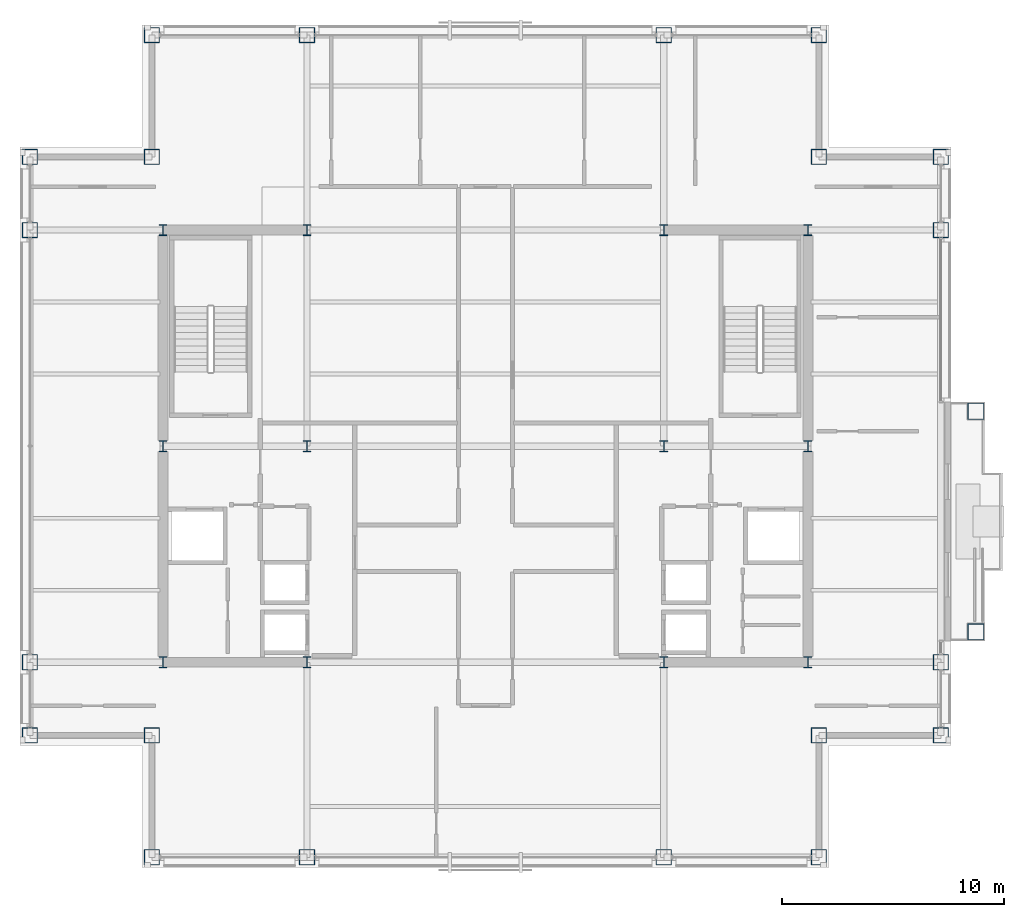
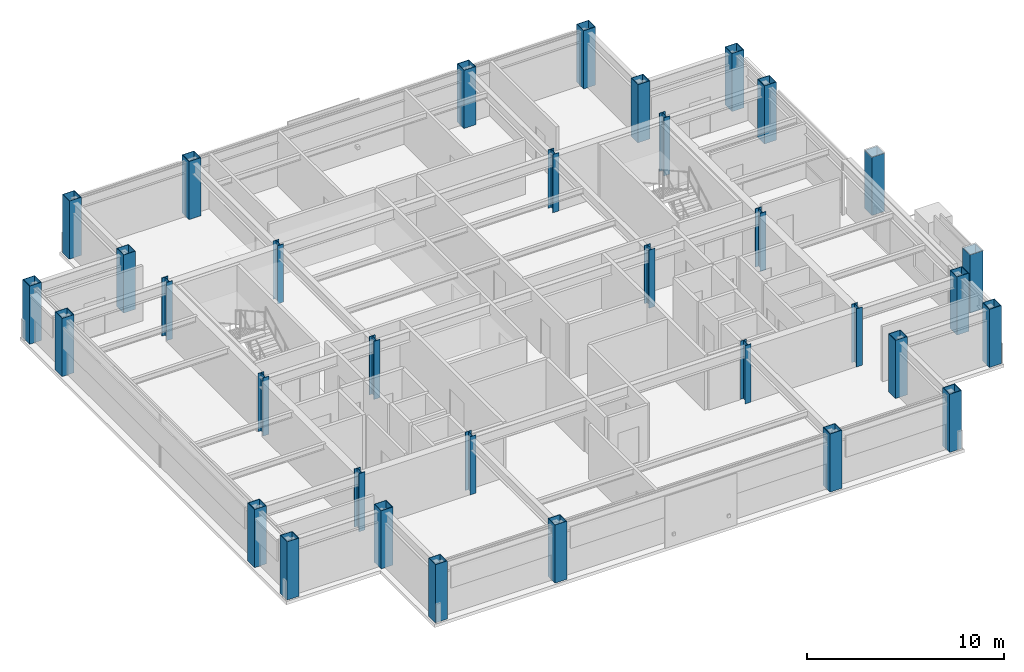
# One storey, part 1 of 30: 34 columns.
"""IFC4 building model written with IfcOpenShell, lengths in metres."""

from ifc_helpers import new_model, si_unit, direction, frame, origin, origin_2d, place, context, subcontext, project, spatial, hollow_rectangle, i_section, extrude, material, material_profile, profile_set, type_object, element, save


model = new_model("IFC4")

# Units and contexts
model_context = context("Model", 3, precision=1e-05, world=origin(), true_north=direction((0.0, 1.0)))
body_context = subcontext(model_context, "Body", "Model", "MODEL_VIEW")
ifc_project = project(units=[si_unit("LENGTHUNIT", "METRE"), si_unit("AREAUNIT", "SQUARE_METRE"), si_unit("VOLUMEUNIT", "CUBIC_METRE"), si_unit("PLANEANGLEUNIT", "RADIAN"), si_unit("MASSUNIT", "GRAM", prefix="KILO")], contexts=[model_context])

# Site, building, storey
site_placement = place(None, origin())
site = spatial("IfcSite", under=ifc_project, at=site_placement, CompositionType="ELEMENT")
building_placement = place(site_placement, origin())
building = spatial("IfcBuilding", under=site, at=building_placement, Name="Brelmoor Portico Tower", CompositionType="ELEMENT")
storey_placement = place(building_placement, frame((0.0, 0.0, 198.300048828125)))
storey = spatial("IfcBuildingStorey", under=building, at=storey_placement, Name="L52", CompositionType="ELEMENT", Elevation=198.300048828125)

# Columns
ifc_material = material(Name="Steel Q355B", Category="steel")
ifc_material_profile_1 = material_profile(ifc_material, hollow_rectangle(XDim=0.699951171875, YDim=0.699951171875, WallThickness=0.030029296875, at=origin_2d()), Name="BOX 700x700x30")
ifc_profile_set_1 = profile_set([ifc_material_profile_1], Name="Steel Q355B")
column_type_1 = type_object("IfcColumnType", Name="COL-MEGA-700", PredefinedType="COLUMN", material=ifc_profile_set_1)
for number, where, z_axis, x_axis, name in (
    (1, (-15.050048828125, -18.550048828125, 0.0), (0.0, 0.0, 1.0), (1.0, 0.0, 0.0), "L52 Perimeter Mega-Column PS01"),
    (2, (-8.050048828125, -18.550048828125, 0.0), (0.0, 0.0, 1.0), (1.0, 0.0, 0.0), "L52 Perimeter Mega-Column PS02"),
    (3, (8.050048828125, -18.550048828125, 0.0), (0.0, 0.0, 1.0), (1.0, 0.0, 0.0), "L52 Perimeter Mega-Column PS03"),
    (4, (15.050048828125, -18.550048828125, 0.0), (0.0, 0.0, 1.0), (1.0, 0.0, 0.0), "L52 Perimeter Mega-Column PS04"),
    (5, (-15.050048828125, 18.550048828125, 0.0), (0.0, 0.0, 1.0), (1.0, 0.0, 0.0), "L52 Perimeter Mega-Column PN01"),
    (6, (-8.050048828125, 18.550048828125, 0.0), (0.0, 0.0, 1.0), (1.0, 0.0, 0.0), "L52 Perimeter Mega-Column PN02"),
    (7, (8.050048828125, 18.550048828125, 0.0), (0.0, 0.0, 1.0), (1.0, 0.0, 0.0), "L52 Perimeter Mega-Column PN03"),
    (8, (15.050048828125, 18.550048828125, 0.0), (0.0, 0.0, 1.0), (1.0, 0.0, 0.0), "L52 Perimeter Mega-Column PN04"),
    (9, (-20.550048828125, -13.050048828125, 0.0), (0.0, 0.0, 1.0), (0.0, 1.0, 0.0), "L52 Perimeter Mega-Column PW01"),
    (10, (-20.550048828125, -9.75, 0.0), (0.0, 0.0, 1.0), (0.0, 1.0, 0.0), "L52 Perimeter Mega-Column PW02"),
    (11, (-20.550048828125, 9.75, 0.0), (0.0, 0.0, 1.0), (0.0, 1.0, 0.0), "L52 Perimeter Mega-Column PW03"),
    (12, (-20.550048828125, 13.050048828125, 0.0), (0.0, 0.0, 1.0), (0.0, 1.0, 0.0), "L52 Perimeter Mega-Column PW04"),
    (13, (20.550048828125, -13.050048828125, 0.0), (0.0, 0.0, 1.0), (0.0, 1.0, 0.0), "L52 Perimeter Mega-Column PE01"),
    (14, (20.550048828125, -9.75, 0.0), (0.0, 0.0, 1.0), (0.0, 1.0, 0.0), "L52 Perimeter Mega-Column PE02"),
    (15, (20.550048828125, 9.75, 0.0), (0.0, 0.0, 1.0), (0.0, 1.0, 0.0), "L52 Perimeter Mega-Column PE03"),
    (16, (20.550048828125, 13.050048828125, 0.0), (0.0, 0.0, 1.0), (0.0, 1.0, 0.0), "L52 Perimeter Mega-Column PE04"),
    (17, (-15.050048828125, 13.050048828125, 0.0), (0.0, 0.0, 1.0), (1.0, 0.0, 0.0), "L52 Perimeter Mega-Column PC-NW"),
    (18, (15.050048828125, 13.050048828125, 0.0), (0.0, 0.0, 1.0), (1.0, 0.0, 0.0), "L52 Perimeter Mega-Column PC-NE"),
    (19, (15.050048828125, -13.050048828125, 0.0), (0.0, 0.0, 1.0), (1.0, 0.0, 0.0), "L52 Perimeter Mega-Column PC-SE"),
    (20, (-15.050048828125, -13.050048828125, 0.0), (0.0, 0.0, 1.0), (1.0, 0.0, 0.0), "L52 Perimeter Mega-Column PC-SW"),
):
    element("IfcColumn", number, at=place(storey_placement, frame(where, z_axis=z_axis, x_axis=x_axis)), inside=storey, type_object=column_type_1, Name=name, PredefinedType="COLUMN", context=body_context, shape_type="SweptSolid", body=[
        extrude(hollow_rectangle(XDim=0.699951171875, YDim=0.699951171875, WallThickness=0.030029296875, at=origin_2d()), origin(), (0.0, 0.0, 1.0), 3.599853515625),
    ])
ifc_material_profile_2 = material_profile(ifc_material, hollow_rectangle(XDim=0.75, YDim=0.75, WallThickness=0.031982421875, at=origin_2d()), Name="BOX 750x750x32")
ifc_profile_set_2 = profile_set([ifc_material_profile_2], Name="Steel Q355B")
column_type_2 = type_object("IfcColumnType", Name="COL-MEGA-750", PredefinedType="COLUMN", material=ifc_profile_set_2)
for number, where, z_axis, x_axis, name in (
    (21, (22.1298828125, -8.3798828125, 0.0), (0.0, 0.0, 1.0), (0.0, 1.0, 0.0), "L52 Proud Picture-Frame Pier PFJ-E1"),
    (22, (22.1298828125, 1.580078125, 0.0), (0.0, 0.0, 1.0), (0.0, 1.0, 0.0), "L52 Proud Picture-Frame Pier PFJ-E2"),
):
    element("IfcColumn", number, at=place(storey_placement, frame(where, z_axis=z_axis, x_axis=x_axis)), inside=storey, type_object=column_type_2, Name=name, PredefinedType="COLUMN", context=body_context, shape_type="SweptSolid", body=[
        extrude(hollow_rectangle(XDim=0.75, YDim=0.75, WallThickness=0.031982421875, at=origin_2d()), origin(), (0.0, 0.0, 1.0), 3.599853515625),
    ])
ifc_material_profile_3 = material_profile(ifc_material, i_section(OverallWidth=0.35009765625, OverallDepth=0.5, WebThickness=0.02001953125, FlangeThickness=0.031982421875, at=origin_2d()), Name="HW 500x350x20x32")
ifc_profile_set_3 = profile_set([ifc_material_profile_3], Name="Steel Q355B")
column_type_3 = type_object("IfcColumnType", Name="COL-SPINE-500", PredefinedType="COLUMN", material=ifc_profile_set_3)
for number, where, z_axis, x_axis, name in (
    (23, (-14.550048828125, -9.75, 0.0), (0.0, 0.0, 1.0), (1.0, 0.0, 0.0), "L52 Core Spine Column CW-SW"),
    (24, (-14.550048828125, 0.0, 0.0), (0.0, 0.0, 1.0), (1.0, 0.0, 0.0), "L52 Core Spine Column CW-MW"),
    (25, (-14.550048828125, 9.75, 0.0), (0.0, 0.0, 1.0), (1.0, 0.0, 0.0), "L52 Core Spine Column CW-NW"),
    (26, (-8.050048828125, -9.75, 0.0), (0.0, 0.0, 1.0), (1.0, 0.0, 0.0), "L52 Core Spine Column CW-SE"),
    (27, (-8.050048828125, 0.0, 0.0), (0.0, 0.0, 1.0), (1.0, 0.0, 0.0), "L52 Core Spine Column CW-ME"),
    (28, (-8.050048828125, 9.75, 0.0), (0.0, 0.0, 1.0), (1.0, 0.0, 0.0), "L52 Core Spine Column CW-NE"),
    (29, (8.050048828125, -9.75, 0.0), (0.0, 0.0, 1.0), (1.0, 0.0, 0.0), "L52 Core Spine Column CE-SW"),
    (30, (8.050048828125, 0.0, 0.0), (0.0, 0.0, 1.0), (1.0, 0.0, 0.0), "L52 Core Spine Column CE-MW"),
    (31, (8.050048828125, 9.75, 0.0), (0.0, 0.0, 1.0), (1.0, 0.0, 0.0), "L52 Core Spine Column CE-NW"),
    (32, (14.550048828125, -9.75, 0.0), (0.0, 0.0, 1.0), (1.0, 0.0, 0.0), "L52 Core Spine Column CE-SE"),
    (33, (14.550048828125, 0.0, 0.0), (0.0, 0.0, 1.0), (1.0, 0.0, 0.0), "L52 Core Spine Column CE-ME"),
    (34, (14.550048828125, 9.75, 0.0), (0.0, 0.0, 1.0), (1.0, 0.0, 0.0), "L52 Core Spine Column CE-NE"),
):
    element("IfcColumn", number, at=place(storey_placement, frame(where, z_axis=z_axis, x_axis=x_axis)), inside=storey, type_object=column_type_3, Name=name, PredefinedType="COLUMN", context=body_context, shape_type="SweptSolid", body=[
        extrude(i_section(OverallWidth=0.35009765625, OverallDepth=0.5, WebThickness=0.02001953125, FlangeThickness=0.031982421875, at=origin_2d()), origin(), (0.0, 0.0, 1.0), 3.599853515625),
    ])

save(model, "model.ifc")
